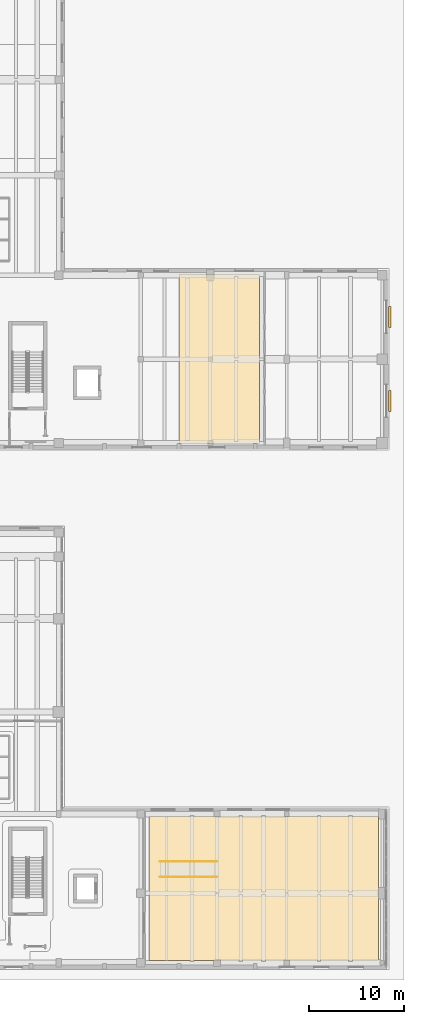
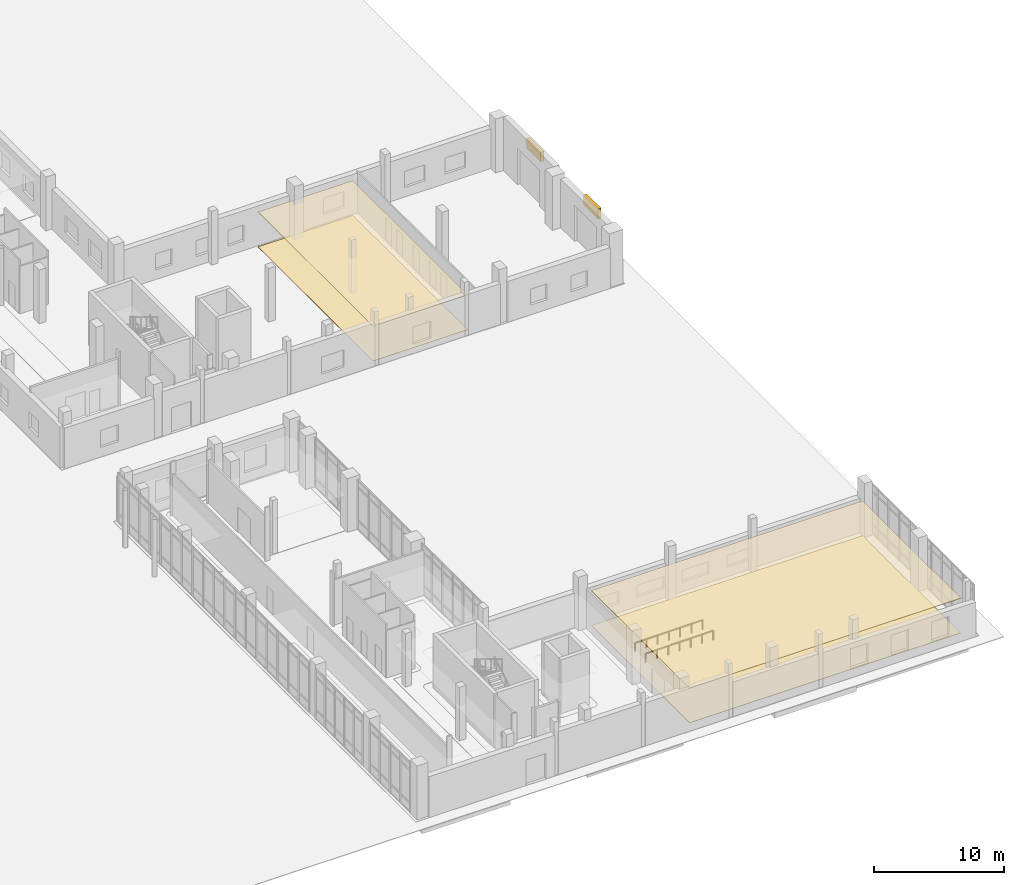
# One storey, part 74 of 74: 6 coverings, 2 railings.
"""IFC4 building model written with IfcOpenShell, lengths in metres."""

from ifc_helpers import new_model, si_unit, direction, frame, origin, origin_2d, place, context, subcontext, project, spatial, polyline, rectangle, circle, outline, extrude, material, layer, layer_set, type_object, element, save


model = new_model("IFC4")

# Units and contexts
model_context = context("Model", 3, precision=1e-05, world=origin(), true_north=direction((0.0, 1.0)))
body_context = subcontext(model_context, "Body", "Model", "MODEL_VIEW")
ifc_project = project(units=[si_unit("LENGTHUNIT", "METRE"), si_unit("AREAUNIT", "SQUARE_METRE"), si_unit("VOLUMEUNIT", "CUBIC_METRE"), si_unit("PLANEANGLEUNIT", "RADIAN"), si_unit("MASSUNIT", "GRAM", prefix="KILO")], contexts=[model_context])

# Site, building, storey
site_placement = place(None, origin())
site = spatial("IfcSite", under=ifc_project, at=site_placement, CompositionType="ELEMENT")
building_placement = place(site_placement, origin())
building = spatial("IfcBuilding", under=site, at=building_placement, Name="Soyqirgoq Riverine Aquarium", CompositionType="ELEMENT")
storey_placement = place(building_placement, origin())
storey = spatial("IfcBuildingStorey", under=building, at=storey_placement, Name="L01", CompositionType="ELEMENT", Elevation=0.0)

# Coverings
ifc_material_1 = material(Name="Perforated mineral-fibre acoustic ceiling", Category="gypsum")
ifc_layer_1 = layer(ifc_material_1, 0.050048828125)
ifc_layer_set_1 = layer_set([ifc_layer_1], Name="Perforated mineral-fibre acoustic ceiling")
covering_type_1 = type_object("IfcCoveringType", Name="AcousticBaffleCeiling_50", PredefinedType="CEILING", material=ifc_layer_set_1)
covering_1_placement = place(storey_placement, frame((0.0, 0.0, 3.25)))
element("IfcCovering", 1, at=covering_1_placement, inside=storey, type_object=covering_type_1, Name="Education Auditorium Suspended Ceiling", PredefinedType="CEILING", context=body_context, shape_type="SweptSolid", body=[
    extrude(outline(polyline([(138.85009765625, 2.449951171875), (138.85009765625, 17.550048828125), (162.949951171875, 17.550048828125), (162.949951171875, 2.449951171875), (138.85009765625, 2.449951171875)])), origin(), (0.0, 0.0, 1.0), 0.050048828125),
])
ifc_material_2 = material(Name="Powder-coated aluminium acoustic weather louvre", Category="aluminium")
covering_type_2 = type_object("IfcCoveringType", Name="AcousticPlantLouvre_600", PredefinedType="USERDEFINED", material=ifc_material_2)
for number, where, z_axis, x_axis, name in (
    (2, (164.10009765625, 69.925048828125, 3.650146484375), (0.0, 0.0, 1.0), (0.0, 1.0, 0.0), "V7 L01 Acoustic Plant Intake Louvre 0107"),
    (3, (164.10009765625, 61.125, 3.650146484375), (0.0, 0.0, 1.0), (0.0, 1.0, 0.0), "V7 L01 Acoustic Plant Intake Louvre 0108"),
):
    element("IfcCovering", number, at=place(storey_placement, frame(where, z_axis=z_axis, x_axis=x_axis)), inside=storey, type_object=covering_type_2, Name=name, ObjectType="ACOUSTIC_LOUVRE", PredefinedType="USERDEFINED", context=body_context, shape_type="SweptSolid", body=[
        extrude(rectangle(XDim=2.199951171875, YDim=0.300048828125, at=origin_2d()), origin(), (0.0, 0.0, 1.0), 0.89990234375),
    ])
ifc_material_3 = material(Name="Seamless slip-resistant marine epoxy flooring", Category="concrete")
ifc_layer_2 = layer(ifc_material_3, 0.02001953125)
ifc_layer_set_2 = layer_set([ifc_layer_2], Name="Seamless slip-resistant marine epoxy flooring")
covering_type_3 = type_object("IfcCoveringType", Name="EpoxyWetFloorFinish_20", PredefinedType="FLOORING", material=ifc_layer_set_2)
covering_2_placement = place(storey_placement, origin())
element("IfcCovering", 4, at=covering_2_placement, inside=storey, type_object=covering_type_3, Name="Life Support Plant Floor Finish", PredefinedType="FLOORING", context=body_context, shape_type="SweptSolid", body=[
    extrude(outline(polyline([(142.030029296875, 56.64990234375), (142.030029296875, 74.35009765625), (150.449951171875, 74.35009765625), (150.449951171875, 56.64990234375), (142.030029296875, 56.64990234375)])), origin(), (0.0, 0.0, 1.0), 0.02001953125),
])
ifc_material_4 = material(Name="Anodised aluminium marine moisture-resistant ceiling", Category="aluminium")
ifc_layer_3 = layer(ifc_material_4, 0.0400390625)
ifc_layer_set_3 = layer_set([ifc_layer_3], Name="Anodised aluminium marine moisture-resistant ceiling")
covering_type_4 = type_object("IfcCoveringType", Name="MoistureCeiling_40", PredefinedType="CEILING", material=ifc_layer_set_3)
covering_3_placement = place(storey_placement, frame((0.0, 0.0, 3.260009765625)))
element("IfcCovering", 5, at=covering_3_placement, inside=storey, type_object=covering_type_4, Name="Life Support Plant Suspended Ceiling", PredefinedType="CEILING", context=body_context, shape_type="SweptSolid", body=[
    extrude(outline(polyline([(142.030029296875, 56.64990234375), (142.030029296875, 74.35009765625), (150.449951171875, 74.35009765625), (150.449951171875, 56.64990234375), (142.030029296875, 56.64990234375)])), origin(), (0.0, 0.0, 1.0), 0.0400390625),
])

# Railings
ifc_material_5 = material(Name="Brushed stainless steel 316L tubular handrail", Category="steel")
railing_type = type_object("IfcRailingType", Name="StairPitchHandrail_920", PredefinedType="HANDRAIL", material=ifc_material_5)
for number, where, name in (
    (6, (140.0, 11.179931640625, -0.06005859375), "Auditorium Foyer Step-Free Ramp Handrail S"),
    (7, (140.0, 12.820068359375, -0.06005859375), "Auditorium Foyer Step-Free Ramp Handrail N"),
):
    element("IfcRailing", number, at=place(storey_placement, frame(where)), inside=storey, type_object=railing_type, Name=name, PredefinedType="HANDRAIL", context=body_context, shape_type="SweptSolid", body=[
        extrude(circle(Radius=0.02392578125, at=origin_2d()), frame((0.0, 0.0, 0.89599609375), z_axis=(0.99994990606, 0.0, 0.010009264196), x_axis=(0.0, 1.0, 0.0)), (0.0, 0.0, 1.0), 6.000244140625),
        extrude(circle(Radius=0.02099609375, at=origin_2d()), origin(), (0.0, 0.0, 1.0), 0.871826171875),
        extrude(circle(Radius=0.02099609375, at=origin_2d()), frame((1.0, 0.0, 0.010009765625)), (0.0, 0.0, 1.0), 0.871826171875),
        extrude(circle(Radius=0.02099609375, at=origin_2d()), frame((2.0, 0.0, 0.02001953125)), (0.0, 0.0, 1.0), 0.871826171875),
        extrude(circle(Radius=0.02099609375, at=origin_2d()), frame((3.0, 0.0, 0.030029296875)), (0.0, 0.0, 1.0), 0.871826171875),
        extrude(circle(Radius=0.02099609375, at=origin_2d()), frame((4.0, 0.0, 0.0400390625)), (0.0, 0.0, 1.0), 0.871826171875),
        extrude(circle(Radius=0.02099609375, at=origin_2d()), frame((5.0, 0.0, 0.050048828125)), (0.0, 0.0, 1.0), 0.871826171875),
        extrude(circle(Radius=0.02099609375, at=origin_2d()), frame((6.0, 0.0, 0.06005859375)), (0.0, 0.0, 1.0), 0.871826171875),
    ])

# Covering
ifc_material_6 = material(Name="Polished Chirchiq river-pebble terrazzo flooring", Category="concrete")
ifc_layer_4 = layer(ifc_material_6, 0.030029296875)
ifc_layer_set_4 = layer_set([ifc_layer_4], Name="Polished Chirchiq river-pebble terrazzo flooring")
covering_type_5 = type_object("IfcCoveringType", Name="TerrazzoFloorFinish_30", PredefinedType="FLOORING", material=ifc_layer_set_4)
covering_4_placement = place(storey_placement, origin())
element("IfcCovering", 8, at=covering_4_placement, inside=storey, type_object=covering_type_5, Name="Education Auditorium Floor Finish", PredefinedType="FLOORING", context=body_context, shape_type="SweptSolid", body=[
    extrude(outline(polyline([(138.85009765625, 2.449951171875), (138.85009765625, 17.550048828125), (162.949951171875, 17.550048828125), (162.949951171875, 2.449951171875), (138.85009765625, 2.449951171875)])), origin(), (0.0, 0.0, 1.0), 0.030029296875),
])

save(model, "model.ifc")
